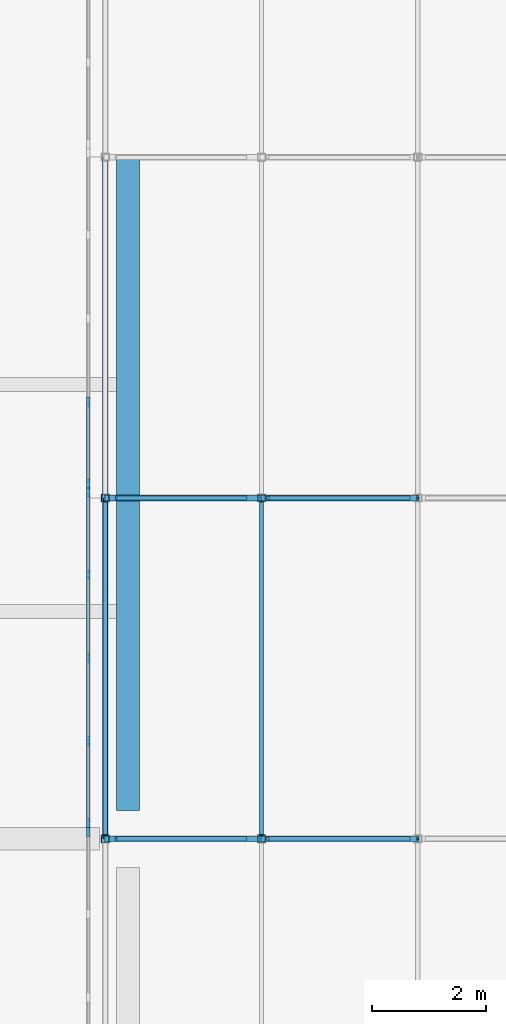
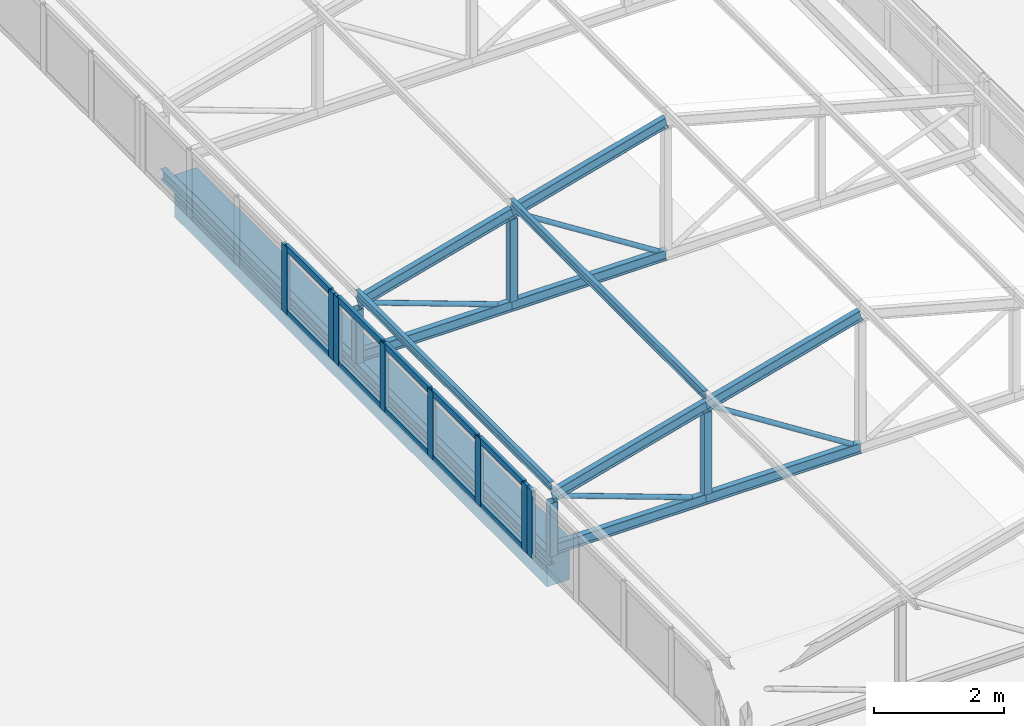
# One storey, part 17 of 94: 36 members, 2 beams, 3 elements without a shape of their own.
"""IFC4 building model written with IfcOpenShell, lengths in metres."""

from ifc_helpers import new_model, si_unit, direction, frame, origin, origin_2d, place, context, subcontext, project, spatial, rectangle, hollow_rectangle, hollow_circle, i_section, extrude, material, layer, layer_set, material_profile, profile_set, type_object, element, aggregate, save


model = new_model("IFC4")

# Units and contexts
model_context = context("Model", 3, precision=1e-05, world=origin(), true_north=direction((0.0, 1.0)))
body_context = subcontext(model_context, "Body", "Model", "MODEL_VIEW")
ifc_project = project(units=[si_unit("LENGTHUNIT", "METRE"), si_unit("AREAUNIT", "SQUARE_METRE"), si_unit("VOLUMEUNIT", "CUBIC_METRE"), si_unit("PLANEANGLEUNIT", "RADIAN"), si_unit("MASSUNIT", "GRAM", prefix="KILO")], contexts=[model_context])

# Site, building, storey
site_placement = place(None, origin())
site = spatial("IfcSite", under=ifc_project, at=site_placement, CompositionType="ELEMENT")
building_placement = place(site_placement, origin())
building = spatial("IfcBuilding", under=site, at=building_placement, Name="Lilac Gate Convention Centre", CompositionType="ELEMENT")
storey_placement = place(building_placement, frame((0.0, 0.0, 21.0)))
storey = spatial("IfcBuildingStorey", under=building, at=storey_placement, Name="L04", CompositionType="ELEMENT", Elevation=21.0)

# Curtain wall, member
ifc_material_1 = material(Name="Aluminium framed double glazing", Category="aluminium")
ifc_layer = layer(ifc_material_1, 0.199951171875)
ifc_layer_set = layer_set([ifc_layer], Name="Aluminium framed double glazing")
curtain_wall_type = type_object("IfcCurtainWallType", Name="Unitised curtain wall 1500", PredefinedType="NOTDEFINED", material=ifc_layer_set)
curtain_wall_1_placement = place(storey_placement, origin())
curtain_wall_1 = element("IfcCurtainWall", 1, at=curtain_wall_1_placement, inside=storey, type_object=curtain_wall_type, Name="Lantern clerestory W 8", PredefinedType="NOTDEFINED")
ifc_material_2 = material(Name="Aluminium alloy 6063", Category="aluminium")
ifc_material_profile_1 = material_profile(ifc_material_2, rectangle(XDim=0.06005859375, YDim=0.159912109375, at=origin_2d()), Name="Curtain wall mullion 60 x 160")
ifc_profile_set_1 = profile_set([ifc_material_profile_1], Name="Aluminium alloy 6063")
member_type_1 = type_object("IfcMemberType", Name="Curtain wall mullion 60 x 160", PredefinedType="MULLION", material=ifc_profile_set_1)
member_1_placement = place(storey_placement, frame((17.300048828125, 78.119873046875, 0.0), z_axis=(0.0, 0.0, 1.0), x_axis=(-1.0, 0.0, 0.0)))
member_1 = element("IfcMember", 2, at=member_1_placement, type_object=member_type_1, Name="CW mullion 5", PredefinedType="MULLION", context=body_context, shape_type="SweptSolid", body=[
    extrude(rectangle(XDim=0.06005859375, YDim=0.159912109375, at=origin_2d()), origin(), (0.0, 0.0, 1.0), 1.272216796875),
])
aggregate(curtain_wall_1, [member_1])

# Curtain wall, members
curtain_wall_2_placement = place(storey_placement, origin())
curtain_wall_2 = element("IfcCurtainWall", 3, at=curtain_wall_2_placement, inside=storey, type_object=curtain_wall_type, Name="Lantern clerestory W 9", PredefinedType="NOTDEFINED")
member_2_placement = place(storey_placement, frame((17.300048828125, 78.280029296875, 0.0), z_axis=(0.0, 0.0, 1.0), x_axis=(-1.0, 0.0, 0.0)))
member_2 = element("IfcMember", 4, at=member_2_placement, type_object=member_type_1, Name="CW mullion 1", PredefinedType="MULLION", context=body_context, shape_type="SweptSolid", body=[
    extrude(rectangle(XDim=0.06005859375, YDim=0.159912109375, at=origin_2d()), origin(), (0.0, 0.0, 1.0), 1.272216796875),
])
member_3_placement = place(storey_placement, frame((17.300048828125, 79.71875, 0.0), z_axis=(0.0, 0.0, 1.0), x_axis=(-1.0, 0.0, 0.0)))
member_3 = element("IfcMember", 5, at=member_3_placement, type_object=member_type_1, Name="CW mullion 2", PredefinedType="MULLION", context=body_context, shape_type="SweptSolid", body=[
    extrude(rectangle(XDim=0.06005859375, YDim=0.159912109375, at=origin_2d()), origin(), (0.0, 0.0, 1.0), 1.272216796875),
])
member_4_placement = place(storey_placement, frame((17.300048828125, 81.1875, 0.0), z_axis=(0.0, 0.0, 1.0), x_axis=(-1.0, 0.0, 0.0)))
member_4 = element("IfcMember", 6, at=member_4_placement, type_object=member_type_1, Name="CW mullion 3", PredefinedType="MULLION", context=body_context, shape_type="SweptSolid", body=[
    extrude(rectangle(XDim=0.06005859375, YDim=0.159912109375, at=origin_2d()), origin(), (0.0, 0.0, 1.0), 1.272216796875),
])
member_5_placement = place(storey_placement, frame((17.300048828125, 82.65625, 0.0), z_axis=(0.0, 0.0, 1.0), x_axis=(-1.0, 0.0, 0.0)))
member_5 = element("IfcMember", 7, at=member_5_placement, type_object=member_type_1, Name="CW mullion 4", PredefinedType="MULLION", context=body_context, shape_type="SweptSolid", body=[
    extrude(rectangle(XDim=0.06005859375, YDim=0.159912109375, at=origin_2d()), origin(), (0.0, 0.0, 1.0), 1.272216796875),
])
member_6_placement = place(storey_placement, frame((17.300048828125, 84.094970703125, 0.0), z_axis=(0.0, 0.0, 1.0), x_axis=(-1.0, 0.0, 0.0)))
member_6 = element("IfcMember", 8, at=member_6_placement, type_object=member_type_1, Name="CW mullion 5", PredefinedType="MULLION", context=body_context, shape_type="SweptSolid", body=[
    extrude(rectangle(XDim=0.06005859375, YDim=0.159912109375, at=origin_2d()), origin(), (0.0, 0.0, 1.0), 1.272216796875),
])

curtain_wall_3_placement = place(storey_placement, origin())
curtain_wall_3 = element("IfcCurtainWall", 9, at=curtain_wall_3_placement, inside=storey, type_object=curtain_wall_type, Name="Lantern clerestory W 10", PredefinedType="NOTDEFINED")
member_7_placement = place(storey_placement, frame((17.300048828125, 84.255126953125, 0.0), z_axis=(0.0, 0.0, 1.0), x_axis=(-1.0, 0.0, 0.0)))
member_7 = element("IfcMember", 10, at=member_7_placement, type_object=member_type_1, Name="CW mullion 1", PredefinedType="MULLION", context=body_context, shape_type="SweptSolid", body=[
    extrude(rectangle(XDim=0.06005859375, YDim=0.159912109375, at=origin_2d()), origin(), (0.0, 0.0, 1.0), 1.272216796875),
])
member_8_placement = place(storey_placement, frame((17.300048828125, 85.69384765625, 0.0), z_axis=(0.0, 0.0, 1.0), x_axis=(-1.0, 0.0, 0.0)))
member_8 = element("IfcMember", 11, at=member_8_placement, type_object=member_type_1, Name="CW mullion 2", PredefinedType="MULLION", context=body_context, shape_type="SweptSolid", body=[
    extrude(rectangle(XDim=0.06005859375, YDim=0.159912109375, at=origin_2d()), origin(), (0.0, 0.0, 1.0), 1.272216796875),
])

# Member
ifc_material_profile_2 = material_profile(ifc_material_2, rectangle(XDim=0.06005859375, YDim=0.1201171875, at=origin_2d()), Name="Curtain wall transom 60 x 120")
ifc_profile_set_2 = profile_set([ifc_material_profile_2], Name="Aluminium alloy 6063")
member_type_2 = type_object("IfcMemberType", Name="Curtain wall transom 60 x 120", PredefinedType="USERDEFINED", material=ifc_profile_set_2)
member_9_placement = place(storey_placement, frame((17.300048828125, 78.31005859375, 0.030029296875), z_axis=(0.0, 1.0, 0.0), x_axis=(-1.0, 0.0, 0.0)))
member_9 = element("IfcMember", 12, at=member_9_placement, type_object=member_type_2, Name="CW transom 1.1", ObjectType="TRANSOM", PredefinedType="USERDEFINED", context=body_context, shape_type="SweptSolid", body=[
    extrude(rectangle(XDim=0.06005859375, YDim=0.1201171875, at=origin_2d()), origin(), (0.0, 0.0, 1.0), 1.378662109375),
])

member_10_placement = place(storey_placement, frame((17.300048828125, 78.31005859375, 1.2421875), z_axis=(0.0, 1.0, 0.0), x_axis=(-1.0, 0.0, 0.0)))
member_10 = element("IfcMember", 13, at=member_10_placement, type_object=member_type_2, Name="CW transom 1.2", ObjectType="TRANSOM", PredefinedType="USERDEFINED", context=body_context, shape_type="SweptSolid", body=[
    extrude(rectangle(XDim=0.06005859375, YDim=0.1201171875, at=origin_2d()), origin(), (0.0, 0.0, 1.0), 1.378662109375),
])

member_11_placement = place(storey_placement, frame((17.300048828125, 79.748779296875, 0.030029296875), z_axis=(0.0, 1.0, 0.0), x_axis=(-1.0, 0.0, 0.0)))
member_11 = element("IfcMember", 14, at=member_11_placement, type_object=member_type_2, Name="CW transom 2.1", ObjectType="TRANSOM", PredefinedType="USERDEFINED", context=body_context, shape_type="SweptSolid", body=[
    extrude(rectangle(XDim=0.06005859375, YDim=0.1201171875, at=origin_2d()), origin(), (0.0, 0.0, 1.0), 1.40869140625),
])

member_12_placement = place(storey_placement, frame((17.300048828125, 79.748779296875, 1.2421875), z_axis=(0.0, 1.0, 0.0), x_axis=(-1.0, 0.0, 0.0)))
member_12 = element("IfcMember", 15, at=member_12_placement, type_object=member_type_2, Name="CW transom 2.2", ObjectType="TRANSOM", PredefinedType="USERDEFINED", context=body_context, shape_type="SweptSolid", body=[
    extrude(rectangle(XDim=0.06005859375, YDim=0.1201171875, at=origin_2d()), origin(), (0.0, 0.0, 1.0), 1.40869140625),
])

member_13_placement = place(storey_placement, frame((17.300048828125, 81.217529296875, 0.030029296875), z_axis=(0.0, 1.0, 0.0), x_axis=(-1.0, 0.0, 0.0)))
member_13 = element("IfcMember", 16, at=member_13_placement, type_object=member_type_2, Name="CW transom 3.1", ObjectType="TRANSOM", PredefinedType="USERDEFINED", context=body_context, shape_type="SweptSolid", body=[
    extrude(rectangle(XDim=0.06005859375, YDim=0.1201171875, at=origin_2d()), origin(), (0.0, 0.0, 1.0), 1.40869140625),
])

member_14_placement = place(storey_placement, frame((17.300048828125, 81.217529296875, 1.2421875), z_axis=(0.0, 1.0, 0.0), x_axis=(-1.0, 0.0, 0.0)))
member_14 = element("IfcMember", 17, at=member_14_placement, type_object=member_type_2, Name="CW transom 3.2", ObjectType="TRANSOM", PredefinedType="USERDEFINED", context=body_context, shape_type="SweptSolid", body=[
    extrude(rectangle(XDim=0.06005859375, YDim=0.1201171875, at=origin_2d()), origin(), (0.0, 0.0, 1.0), 1.40869140625),
])

member_15_placement = place(storey_placement, frame((17.300048828125, 82.686279296875, 0.030029296875), z_axis=(0.0, 1.0, 0.0), x_axis=(-1.0, 0.0, 0.0)))
member_15 = element("IfcMember", 18, at=member_15_placement, type_object=member_type_2, Name="CW transom 4.1", ObjectType="TRANSOM", PredefinedType="USERDEFINED", context=body_context, shape_type="SweptSolid", body=[
    extrude(rectangle(XDim=0.06005859375, YDim=0.1201171875, at=origin_2d()), origin(), (0.0, 0.0, 1.0), 1.378662109375),
])

member_16_placement = place(storey_placement, frame((17.300048828125, 82.686279296875, 1.2421875), z_axis=(0.0, 1.0, 0.0), x_axis=(-1.0, 0.0, 0.0)))
member_16 = element("IfcMember", 19, at=member_16_placement, type_object=member_type_2, Name="CW transom 4.2", ObjectType="TRANSOM", PredefinedType="USERDEFINED", context=body_context, shape_type="SweptSolid", body=[
    extrude(rectangle(XDim=0.06005859375, YDim=0.1201171875, at=origin_2d()), origin(), (0.0, 0.0, 1.0), 1.378662109375),
])

aggregate(curtain_wall_2, [member_2, member_3, member_4, member_5, member_6, member_9, member_10, member_11, member_12, member_13, member_14, member_15, member_16])

member_17_placement = place(storey_placement, frame((17.300048828125, 84.28515625, 0.030029296875), z_axis=(0.0, 1.0, 0.0), x_axis=(-1.0, 0.0, 0.0)))
member_17 = element("IfcMember", 20, at=member_17_placement, type_object=member_type_2, Name="CW transom 1.1", ObjectType="TRANSOM", PredefinedType="USERDEFINED", context=body_context, shape_type="SweptSolid", body=[
    extrude(rectangle(XDim=0.06005859375, YDim=0.1201171875, at=origin_2d()), origin(), (0.0, 0.0, 1.0), 1.378662109375),
])

member_18_placement = place(storey_placement, frame((17.300048828125, 84.28515625, 1.2421875), z_axis=(0.0, 1.0, 0.0), x_axis=(-1.0, 0.0, 0.0)))
member_18 = element("IfcMember", 21, at=member_18_placement, type_object=member_type_2, Name="CW transom 1.2", ObjectType="TRANSOM", PredefinedType="USERDEFINED", context=body_context, shape_type="SweptSolid", body=[
    extrude(rectangle(XDim=0.06005859375, YDim=0.1201171875, at=origin_2d()), origin(), (0.0, 0.0, 1.0), 1.378662109375),
])

aggregate(curtain_wall_3, [member_7, member_8, member_17, member_18])

# Members
ifc_material_3 = material(Name="Steel Q355B", Category="steel")
ifc_material_profile_3 = material_profile(ifc_material_3, i_section(OverallWidth=0.10009765625, OverallDepth=0.199951171875, WebThickness=0.005615234375, FlangeThickness=0.008056640625, FilletRadius=0.008056640625, at=origin_2d()), Name="HN200x100x5.5x8")
ifc_profile_set_3 = profile_set([ifc_material_profile_3], Name="Steel Q355B")
member_type_3 = type_object("IfcMemberType", Name="Lantern bottom chord HN200x100x5.5x8", PredefinedType="CHORD", material=ifc_profile_set_3)
for number, where, z_axis, x_axis, name in (
    (22, (17.60009765625, 78.0, 0.10009765625), (1.0, 0.0, 0.0), (0.0, 1.0, 0.0), "LB1 lantern truss 9 bottom chord 1"),
    (23, (20.35009765625, 78.0, 0.10009765625), (1.0, 0.0, 0.0), (0.0, 1.0, 0.0), "LB1 lantern truss 9 bottom chord 2"),
    (24, (17.60009765625, 84.0, 0.10009765625), (1.0, 0.0, 0.0), (0.0, 1.0, 0.0), "LB1 lantern truss 10 bottom chord 1"),
    (25, (20.35009765625, 84.0, 0.10009765625), (1.0, 0.0, 0.0), (0.0, 1.0, 0.0), "LB1 lantern truss 10 bottom chord 2"),
):
    element("IfcMember", number, at=place(storey_placement, frame(where, z_axis=z_axis, x_axis=x_axis)), inside=storey, type_object=member_type_3, Name=name, PredefinedType="CHORD", context=body_context, shape_type="SweptSolid", body=[
        extrude(i_section(OverallWidth=0.10009765625, OverallDepth=0.199951171875, WebThickness=0.005615234375, FlangeThickness=0.008056640625, FilletRadius=0.008056640625, at=origin_2d()), origin(), (0.0, 0.0, 1.0), 2.75),
    ])
ifc_material_profile_4 = material_profile(ifc_material_3, hollow_circle(Radius=0.04443359375, WallThickness=0.0048828125, at=origin_2d()), Name="CHS88.9x5")
ifc_profile_set_4 = profile_set([ifc_material_profile_4], Name="Steel Q355B")
member_type_4 = type_object("IfcMemberType", Name="Lantern diagonal CHS88.9x5", PredefinedType="BRACE", material=ifc_profile_set_4)
member_19_placement = place(storey_placement, frame((17.789794921875, 78.0, 1.031005859375), z_axis=(0.939781696917, 0.0, -0.341775309434), x_axis=(0.0, 1.0, 0.0)))
element("IfcMember", 26, at=member_19_placement, inside=storey, type_object=member_type_4, Name="LW1 lantern truss 9 diagonal 1", PredefinedType="BRACE", context=body_context, shape_type="SweptSolid", body=[
    extrude(hollow_circle(Radius=0.04443359375, WallThickness=0.0048828125, at=origin_2d()), origin(), (0.0, 0.0, 1.0), 2.431640625),
])
member_20_placement = place(storey_placement, frame((20.45849609375, 78.0, 1.781005859375), z_axis=(0.843647832412, 0.0, -0.536896949951), x_axis=(0.0, 1.0, 0.0)))
element("IfcMember", 27, at=member_20_placement, inside=storey, type_object=member_type_4, Name="LW1 lantern truss 9 diagonal 2", PredefinedType="BRACE", context=body_context, shape_type="SweptSolid", body=[
    extrude(hollow_circle(Radius=0.04443359375, WallThickness=0.0048828125, at=origin_2d()), origin(), (0.0, 0.0, 1.0), 2.94482421875),
])
member_21_placement = place(storey_placement, frame((17.789794921875, 84.0, 1.031005859375), z_axis=(0.939781696917, 0.0, -0.341775309434), x_axis=(0.0, 1.0, 0.0)))
element("IfcMember", 28, at=member_21_placement, inside=storey, type_object=member_type_4, Name="LW1 lantern truss 10 diagonal 1", PredefinedType="BRACE", context=body_context, shape_type="SweptSolid", body=[
    extrude(hollow_circle(Radius=0.04443359375, WallThickness=0.0048828125, at=origin_2d()), origin(), (0.0, 0.0, 1.0), 2.431640625),
])
member_22_placement = place(storey_placement, frame((20.45849609375, 84.0, 1.781005859375), z_axis=(0.843647832412, 0.0, -0.536896949951), x_axis=(0.0, 1.0, 0.0)))
element("IfcMember", 29, at=member_22_placement, inside=storey, type_object=member_type_4, Name="LW1 lantern truss 10 diagonal 2", PredefinedType="BRACE", context=body_context, shape_type="SweptSolid", body=[
    extrude(hollow_circle(Radius=0.04443359375, WallThickness=0.0048828125, at=origin_2d()), origin(), (0.0, 0.0, 1.0), 2.94482421875),
])
ifc_material_profile_5 = material_profile(ifc_material_3, hollow_rectangle(XDim=0.139892578125, YDim=0.139892578125, WallThickness=0.0048828125, InnerFilletRadius=0.0048828125, OuterFilletRadius=0.010009765625, at=origin_2d()), Name="SHS140x140x5")
ifc_profile_set_5 = profile_set([ifc_material_profile_5], Name="Steel Q355B")
member_type_5 = type_object("IfcMemberType", Name="Lantern post SHS140x140x5", PredefinedType="STRUT", material=ifc_profile_set_5)
member_23_placement = place(storey_placement, frame((17.60009765625, 78.0, 0.0), z_axis=(0.0, 0.0, 1.0), x_axis=(1.0, 0.0, 0.0)))
element("IfcMember", 30, at=member_23_placement, inside=storey, type_object=member_type_5, Name="LV1 lantern truss 9 post 1", PredefinedType="STRUT", context=body_context, shape_type="SweptSolid", body=[
    extrude(hollow_rectangle(XDim=0.139892578125, YDim=0.139892578125, WallThickness=0.0048828125, InnerFilletRadius=0.0048828125, OuterFilletRadius=0.010009765625, at=origin_2d()), origin(), (0.0, 0.0, 1.0), 1.001953125),
])
member_24_placement = place(storey_placement, frame((20.35009765625, 78.0, 0.199951171875), z_axis=(0.0, 0.0, 1.0), x_axis=(1.0, 0.0, 0.0)))
element("IfcMember", 31, at=member_24_placement, inside=storey, type_object=member_type_5, Name="LV1 lantern truss 9 post 2", PredefinedType="STRUT", context=body_context, shape_type="SweptSolid", body=[
    extrude(hollow_rectangle(XDim=0.139892578125, YDim=0.139892578125, WallThickness=0.0048828125, InnerFilletRadius=0.0048828125, OuterFilletRadius=0.010009765625, at=origin_2d()), origin(), (0.0, 0.0, 1.0), 1.546142578125),
])
member_25_placement = place(storey_placement, frame((17.60009765625, 84.0, 0.0), z_axis=(0.0, 0.0, 1.0), x_axis=(1.0, 0.0, 0.0)))
element("IfcMember", 32, at=member_25_placement, inside=storey, type_object=member_type_5, Name="LV1 lantern truss 10 post 1", PredefinedType="STRUT", context=body_context, shape_type="SweptSolid", body=[
    extrude(hollow_rectangle(XDim=0.139892578125, YDim=0.139892578125, WallThickness=0.0048828125, InnerFilletRadius=0.0048828125, OuterFilletRadius=0.010009765625, at=origin_2d()), origin(), (0.0, 0.0, 1.0), 1.001953125),
])
member_26_placement = place(storey_placement, frame((20.35009765625, 84.0, 0.199951171875), z_axis=(0.0, 0.0, 1.0), x_axis=(1.0, 0.0, 0.0)))
element("IfcMember", 33, at=member_26_placement, inside=storey, type_object=member_type_5, Name="LV1 lantern truss 10 post 2", PredefinedType="STRUT", context=body_context, shape_type="SweptSolid", body=[
    extrude(hollow_rectangle(XDim=0.139892578125, YDim=0.139892578125, WallThickness=0.0048828125, InnerFilletRadius=0.0048828125, OuterFilletRadius=0.010009765625, at=origin_2d()), origin(), (0.0, 0.0, 1.0), 1.546142578125),
])
ifc_material_profile_6 = material_profile(ifc_material_3, i_section(OverallWidth=0.074951171875, OverallDepth=0.14990234375, WebThickness=0.0048828125, FlangeThickness=0.007080078125, FilletRadius=0.008056640625, at=origin_2d()), Name="HN150x75x5x7")
ifc_profile_set_6 = profile_set([ifc_material_profile_6], Name="Steel Q355B")
member_type_6 = type_object("IfcMemberType", Name="Lantern purlin HN150x75x5x7", PredefinedType="PURLIN", material=ifc_profile_set_6)
for number, where, z_axis, x_axis, name in (
    (34, (17.60009765625, 78.0, 1.279052734375), (0.0, 1.0, 0.0), (-1.0, 0.0, 0.0), "LP1 lantern purlin bay 9 line 1"),
    (35, (20.35009765625, 78.0, 2.029052734375), (0.0, 1.0, 0.0), (-1.0, 0.0, 0.0), "LP1 lantern purlin bay 9 line 2"),
):
    element("IfcMember", number, at=place(storey_placement, frame(where, z_axis=z_axis, x_axis=x_axis)), inside=storey, type_object=member_type_6, Name=name, PredefinedType="PURLIN", context=body_context, shape_type="SweptSolid", body=[
        extrude(i_section(OverallWidth=0.074951171875, OverallDepth=0.14990234375, WebThickness=0.0048828125, FlangeThickness=0.007080078125, FilletRadius=0.008056640625, at=origin_2d()), origin(), (0.0, 0.0, 1.0), 6.0),
    ])
ifc_material_profile_7 = material_profile(ifc_material_3, i_section(OverallWidth=0.10009765625, OverallDepth=0.199951171875, WebThickness=0.005615234375, FlangeThickness=0.008056640625, FilletRadius=0.008056640625, at=origin_2d()), Name="HN200x100x5.5x8")
ifc_profile_set_7 = profile_set([ifc_material_profile_7], Name="Steel Q355B")
member_type_7 = type_object("IfcMemberType", Name="Lantern top chord HN200x100x5.5x8", PredefinedType="CHORD", material=ifc_profile_set_7)
for number, where, z_axis, x_axis, name in (
    (36, (17.60009765625, 78.0, 1.10009765625), (0.964763821238, 0.0, 0.263117405792), (0.0, 1.0, 0.0), "LT1 lantern truss 9 top chord 1"),
    (37, (20.35009765625, 78.0, 1.85009765625), (0.964763821238, 0.0, 0.263117405792), (0.0, 1.0, 0.0), "LT1 lantern truss 9 top chord 2"),
    (38, (17.60009765625, 84.0, 1.10009765625), (0.964763821238, 0.0, 0.263117405792), (0.0, 1.0, 0.0), "LT1 lantern truss 10 top chord 1"),
    (39, (20.35009765625, 84.0, 1.85009765625), (0.964763821238, 0.0, 0.263117405792), (0.0, 1.0, 0.0), "LT1 lantern truss 10 top chord 2"),
):
    element("IfcMember", number, at=place(storey_placement, frame(where, z_axis=z_axis, x_axis=x_axis)), inside=storey, type_object=member_type_7, Name=name, PredefinedType="CHORD", context=body_context, shape_type="SweptSolid", body=[
        extrude(i_section(OverallWidth=0.10009765625, OverallDepth=0.199951171875, WebThickness=0.005615234375, FlangeThickness=0.008056640625, FilletRadius=0.008056640625, at=origin_2d()), origin(), (0.0, 0.0, 1.0), 2.850341796875),
    ])

# Beams
ifc_material_profile_8 = material_profile(ifc_material_3, i_section(OverallWidth=0.10009765625, OverallDepth=0.199951171875, WebThickness=0.005615234375, FlangeThickness=0.008056640625, FilletRadius=0.008056640625, at=origin_2d()), Name="HN200x100x5.5x8")
ifc_profile_set_8 = profile_set([ifc_material_profile_8], Name="Steel Q355B")
beam_type_1 = type_object("IfcBeamType", Name="Steel edge beam HN200x100x5.5x8", PredefinedType="BEAM", material=ifc_profile_set_8)
beam_1_placement = place(storey_placement, frame((17.60009765625, 78.0, -0.10009765625), z_axis=(0.0, 1.0, 0.0), x_axis=(-1.0, 0.0, 0.0)))
element("IfcBeam", 40, at=beam_1_placement, inside=storey, type_object=beam_type_1, Name="LE2 lantern west edge beam 5", PredefinedType="BEAM", context=body_context, shape_type="SweptSolid", body=[
    extrude(i_section(OverallWidth=0.10009765625, OverallDepth=0.199951171875, WebThickness=0.005615234375, FlangeThickness=0.008056640625, FilletRadius=0.008056640625, at=origin_2d()), origin(), (0.0, 0.0, 1.0), 12.0),
])
ifc_material_4 = material(Name="Concrete C40", Category="concrete")
ifc_material_profile_9 = material_profile(ifc_material_4, rectangle(XDim=0.39990234375, YDim=0.800048828125, at=origin_2d()), Name="RC 400x800")
ifc_profile_set_9 = profile_set([ifc_material_profile_9], Name="Concrete C40")
beam_type_2 = type_object("IfcBeamType", Name="Tower primary beam 400x800 C40", PredefinedType="BEAM", material=ifc_profile_set_9)
beam_2_placement = place(storey_placement, frame((18.0, 78.5, -0.60009765625), z_axis=(0.0, 1.0, 0.0), x_axis=(-1.0, 0.0, 0.0)))
element("IfcBeam", 41, at=beam_2_placement, inside=storey, type_object=beam_type_2, Name="RB3 L04 2/E-2/F", PredefinedType="BEAM", context=body_context, shape_type="SweptSolid", body=[
    extrude(rectangle(XDim=0.39990234375, YDim=0.800048828125, at=origin_2d()), origin(), (0.0, 0.0, 1.0), 11.5),
])

save(model, "model.ifc")
